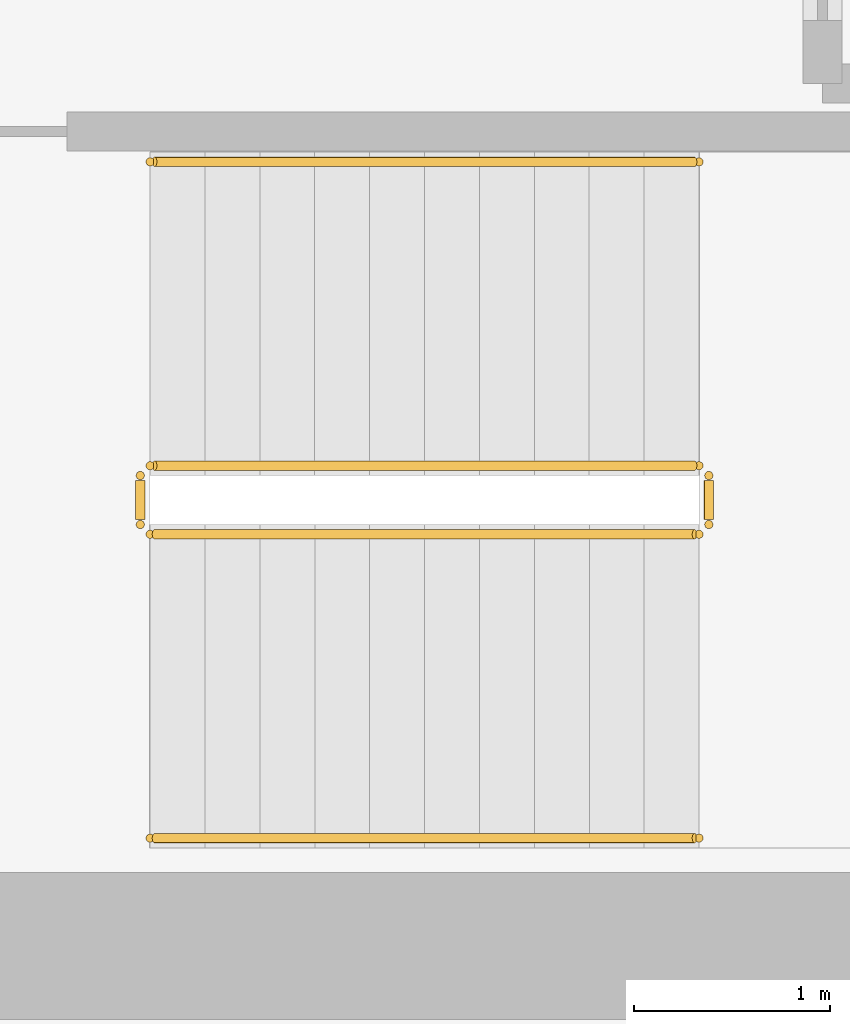
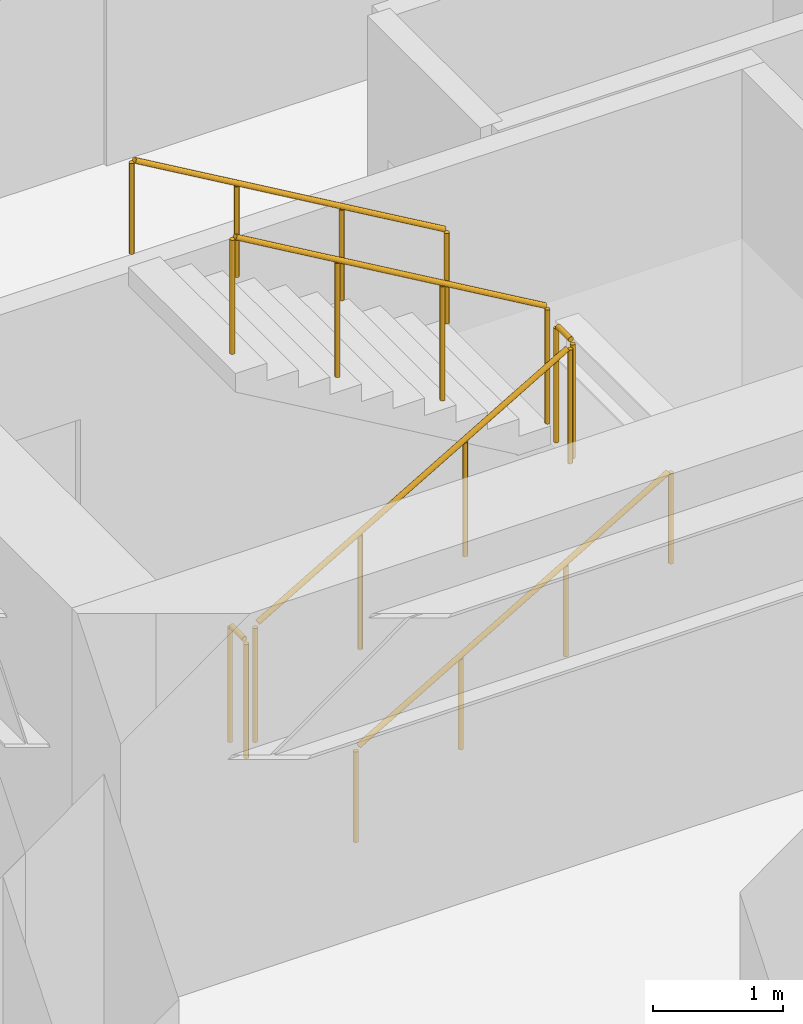
# One storey, part 14 of 14: 6 railings.
"""IFC4 building model written with IfcOpenShell, lengths in metres."""

from ifc_helpers import new_model, si_unit, direction, frame, origin, origin_2d, place, context, subcontext, project, spatial, circle, extrude, source, transform, mapped, material, layer, layer_set, type_object, element, save


model = new_model("IFC4")

# Units and contexts
model_context = context("Model", 3, precision=1e-05, world=origin(), true_north=direction((0.0, 1.0)))
body_context = subcontext(model_context, "Body", "Model", "MODEL_VIEW")
ifc_project = project(units=[si_unit("LENGTHUNIT", "METRE"), si_unit("AREAUNIT", "SQUARE_METRE"), si_unit("VOLUMEUNIT", "CUBIC_METRE"), si_unit("PLANEANGLEUNIT", "RADIAN"), si_unit("MASSUNIT", "GRAM", prefix="KILO")], contexts=[model_context])

# Site, building, storey
site_placement = place(None, origin())
site = spatial("IfcSite", under=ifc_project, at=site_placement, CompositionType="ELEMENT")
building_placement = place(site_placement, origin())
building = spatial("IfcBuilding", under=site, at=building_placement, Name="Kharzan Plaza Tower", CompositionType="ELEMENT")
storey_placement = place(building_placement, frame((0.0, 0.0, 124.199951171875)))
storey = spatial("IfcBuildingStorey", under=building, at=storey_placement, Name="L33", CompositionType="ELEMENT", Elevation=124.199951171875)

# Railings
ifc_material_1 = material(Name="Painted Galvanized Architectural Steel", Category="steel")
ifc_layer_1 = layer(ifc_material_1, 0.074951171875)
ifc_layer_set_1 = layer_set([ifc_layer_1], Name="Painted Galvanized Architectural Steel")
railing_type_1 = type_object("IfcRailingType", Name="RL-GUARD-1120", PredefinedType="BALUSTRADE", material=ifc_layer_set_1)
shared_shape_1 = source(origin(), body_context, "Body", "SweptSolid", [
    extrude(circle(Radius=0.02392578125, at=origin_2d()), frame((0.0, 0.0263671875, 1.09619140625), z_axis=(0.0, 1.0, 0.0), x_axis=(-1.0, 0.0, 0.0)), (0.0, 0.0, 1.0), 0.197021484375),
    extrude(circle(Radius=0.02099609375, at=origin_2d()), origin(), (0.0, 0.0, 1.0), 1.072021484375),
    extrude(circle(Radius=0.02099609375, at=origin_2d()), frame((0.0, 0.25, 0.0)), (0.0, 0.0, 1.0), 1.072021484375),
])
for number, where, name in (
    (1, (41.10009765625, 6.64990234375, 1.800048828125), "L33 ST-3 stair guard 2"),
    (2, (38.199951171875, 6.64990234375, 0.0), "L33 ST-3 stair guard 4"),
):
    element("IfcRailing", number, at=place(storey_placement, frame(where)), inside=storey, type_object=railing_type_1, Name=name, PredefinedType="BALUSTRADE", context=body_context, shape_type="MappedRepresentation", body=[
        mapped(shared_shape_1, transform((0.0, 0.0, 0.0), x_axis=(1.0, 0.0, 0.0), y_axis=(0.0, 1.0, 0.0), z_axis=(0.0, 0.0, 1.0))),
    ])
shared_shape_2 = source(origin(), body_context, "Body", "SweptSolid", [
    extrude(circle(Radius=0.02392578125, at=origin_2d()), frame((0.02294921875, 0.0, 1.109375), z_axis=(0.863360870873, 0.0, 0.504586966384), x_axis=(0.0, 1.0, 0.0)), (0.0, 0.0, 1.0), 3.190185546875),
    extrude(circle(Radius=0.02099609375, at=origin_2d()), origin(), (0.0, 0.0, 1.0), 1.072021484375),
    extrude(circle(Radius=0.02099609375, at=origin_2d()), frame((0.933349609375, 0.0, 0.54541015625)), (0.0, 0.0, 1.0), 1.072021484375),
    extrude(circle(Radius=0.02099609375, at=origin_2d()), frame((1.86669921875, 0.0, 1.091064453125)), (0.0, 0.0, 1.0), 1.072021484375),
    extrude(circle(Radius=0.02099609375, at=origin_2d()), frame((2.800048828125, 0.0, 1.636474609375)), (0.0, 0.0, 1.0), 1.072021484375),
])
railing_1_placement = place(storey_placement, frame((38.25, 6.60009765625, 0.16357421875)))
element("IfcRailing", 3, at=railing_1_placement, inside=storey, type_object=railing_type_1, Name="L33 ST-3 stair guard 1", PredefinedType="BALUSTRADE", context=body_context, shape_type="MappedRepresentation", body=[
    mapped(shared_shape_2, transform((0.0, 0.0, 0.0), x_axis=(1.0, 0.0, 0.0), y_axis=(0.0, 1.0, 0.0), z_axis=(0.0, 0.0, 1.0))),
])
shared_shape_3 = source(origin(), body_context, "Body", "SweptSolid", [
    extrude(circle(Radius=0.02392578125, at=origin_2d()), frame((-0.02294921875, 0.0, 1.109375), z_axis=(-0.863360870873, 0.0, 0.504586966384), x_axis=(0.0, -1.0, 0.0)), (0.0, 0.0, 1.0), 3.190185546875),
    extrude(circle(Radius=0.02099609375, at=origin_2d()), origin(), (0.0, 0.0, 1.0), 1.072021484375),
    extrude(circle(Radius=0.02099609375, at=origin_2d()), frame((-0.933349609375, 0.0, 0.54541015625)), (0.0, 0.0, 1.0), 1.072021484375),
    extrude(circle(Radius=0.02099609375, at=origin_2d()), frame((-1.86669921875, 0.0, 1.091064453125)), (0.0, 0.0, 1.0), 1.072021484375),
    extrude(circle(Radius=0.02099609375, at=origin_2d()), frame((-2.800048828125, 0.0, 1.636474609375)), (0.0, 0.0, 1.0), 1.072021484375),
])
railing_2_placement = place(storey_placement, frame((41.050048828125, 6.949951171875, 1.963623046875)))
element("IfcRailing", 4, at=railing_2_placement, inside=storey, type_object=railing_type_1, Name="L33 ST-3 stair guard 3", PredefinedType="BALUSTRADE", context=body_context, shape_type="MappedRepresentation", body=[
    mapped(shared_shape_3, transform((0.0, 0.0, 0.0), x_axis=(1.0, 0.0, 0.0), y_axis=(0.0, 1.0, 0.0), z_axis=(0.0, 0.0, 1.0))),
])
ifc_material_2 = material(Name="Brushed Stainless Steel", Category="steel")
ifc_layer_2 = layer(ifc_material_2, 0.050048828125)
ifc_layer_set_2 = layer_set([ifc_layer_2], Name="Brushed Stainless Steel")
railing_type_2 = type_object("IfcRailingType", Name="RL-STAIR-HR920", PredefinedType="HANDRAIL", material=ifc_layer_set_2)
shared_shape_4 = source(origin(), body_context, "Body", "SweptSolid", [
    extrude(circle(Radius=0.02392578125, at=origin_2d()), frame((0.02294921875, 0.0, 0.88916015625), z_axis=(0.863360870873, 0.0, 0.504586966384), x_axis=(0.0, 1.0, 0.0)), (0.0, 0.0, 1.0), 3.190185546875),
    extrude(circle(Radius=0.02099609375, at=origin_2d()), origin(), (0.0, 0.0, 1.0), 0.851806640625),
    extrude(circle(Radius=0.02099609375, at=origin_2d()), frame((0.933349609375, 0.0, 0.54541015625)), (0.0, 0.0, 1.0), 0.851806640625),
    extrude(circle(Radius=0.02099609375, at=origin_2d()), frame((1.86669921875, 0.0, 1.091064453125)), (0.0, 0.0, 1.0), 0.851806640625),
    extrude(circle(Radius=0.02099609375, at=origin_2d()), frame((2.800048828125, 0.0, 1.636474609375)), (0.0, 0.0, 1.0), 0.851806640625),
])
railing_3_placement = place(storey_placement, frame((38.25, 5.050048828125, 0.16357421875)))
element("IfcRailing", 5, at=railing_3_placement, inside=storey, type_object=railing_type_2, Name="L33 ST-3 stair handrail 1", PredefinedType="HANDRAIL", context=body_context, shape_type="MappedRepresentation", body=[
    mapped(shared_shape_4, transform((0.0, 0.0, 0.0), x_axis=(1.0, 0.0, 0.0), y_axis=(0.0, 1.0, 0.0), z_axis=(0.0, 0.0, 1.0))),
])
shared_shape_5 = source(origin(), body_context, "Body", "SweptSolid", [
    extrude(circle(Radius=0.02392578125, at=origin_2d()), frame((-0.02294921875, 0.0, 0.88916015625), z_axis=(-0.863360870873, 0.0, 0.504586966384), x_axis=(0.0, -1.0, 0.0)), (0.0, 0.0, 1.0), 3.190185546875),
    extrude(circle(Radius=0.02099609375, at=origin_2d()), origin(), (0.0, 0.0, 1.0), 0.851806640625),
    extrude(circle(Radius=0.02099609375, at=origin_2d()), frame((-0.933349609375, 0.0, 0.54541015625)), (0.0, 0.0, 1.0), 0.851806640625),
    extrude(circle(Radius=0.02099609375, at=origin_2d()), frame((-1.86669921875, 0.0, 1.091064453125)), (0.0, 0.0, 1.0), 0.851806640625),
    extrude(circle(Radius=0.02099609375, at=origin_2d()), frame((-2.800048828125, 0.0, 1.636474609375)), (0.0, 0.0, 1.0), 0.851806640625),
])
railing_4_placement = place(storey_placement, frame((41.050048828125, 8.5, 1.963623046875)))
element("IfcRailing", 6, at=railing_4_placement, inside=storey, type_object=railing_type_2, Name="L33 ST-3 stair handrail 2", PredefinedType="HANDRAIL", context=body_context, shape_type="MappedRepresentation", body=[
    mapped(shared_shape_5, transform((0.0, 0.0, 0.0), x_axis=(1.0, 0.0, 0.0), y_axis=(0.0, 1.0, 0.0), z_axis=(0.0, 0.0, 1.0))),
])

save(model, "model.ifc")
